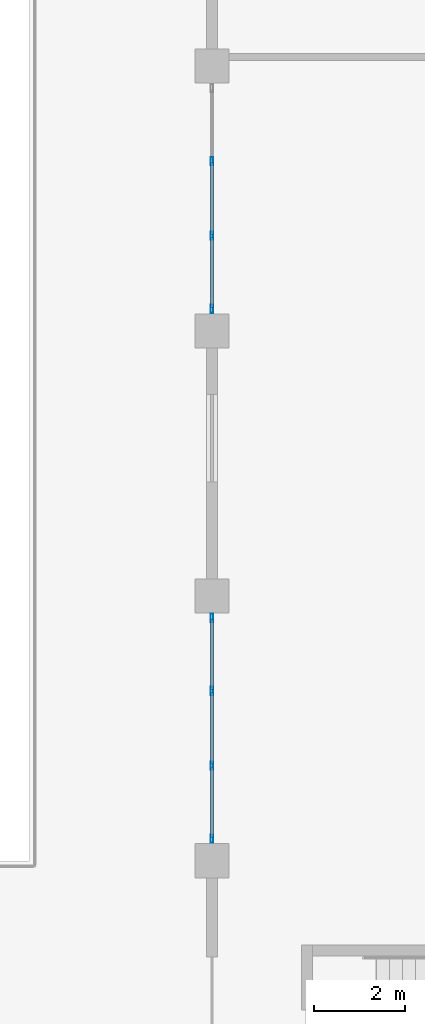
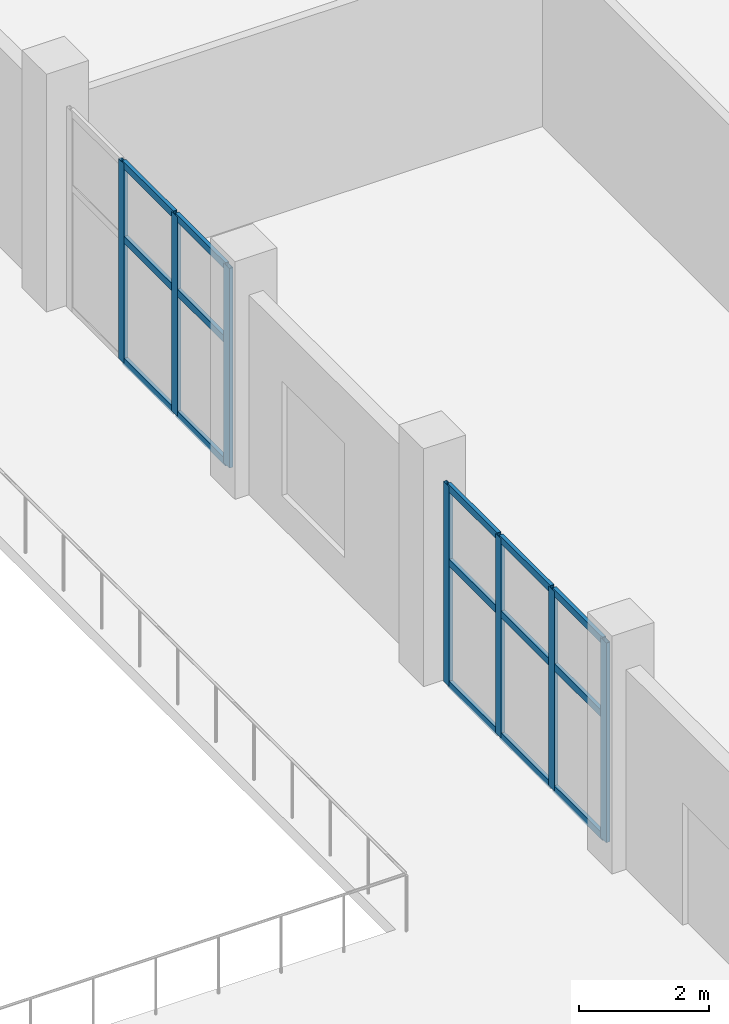
# One storey, part 30 of 132: 22 members, 2 elements without a shape of their own.
"""IFC4 building model written with IfcOpenShell, lengths in metres."""

import ifcopenshell
import ifcopenshell.guid

model = None  # the IFC model being written
_history = None  # IfcOwnerHistory: only IFC2X3 demands one
_inside = {}  # id of a spatial element -> (the spatial element, [elements in it])
_under = {}  # id of a project, library or spatial element -> (it, [spatial elements below it])
_declared = {}  # id of a project -> (the project, [libraries it declares])
_typed = {}  # id of a type object -> (the type object, [elements of that type])
_made_of = {}  # id of a material, layer set ... -> (it, [elements and type objects made of it])


def new_model(schema):
    """Start an empty IFC model of exactly this schema.

    Asked for "IFC4X3", IfcOpenShell would pick the latest addendum, in which some entities
    have other attributes; the version numbers below select the first issue.
    IFC2X3 requires an IfcOwnerHistory on every rooted entity: one is made here for all.
    """
    global model, _history
    if schema == "IFC4X3":
        model = ifcopenshell.file(schema_version=(4, 3, 0, 0))
    else:
        model = ifcopenshell.file(schema=schema)
    _inside.clear()
    _under.clear()
    _declared.clear()
    _typed.clear()
    _made_of.clear()
    _history = None
    if model.schema == "IFC2X3":
        org = make("IfcOrganization", Name="unknown")
        user = make(
            "IfcPersonAndOrganization",
            ThePerson=make("IfcPerson", FamilyName="unknown"),
            TheOrganization=org,
        )
        app = make(
            "IfcApplication",
            ApplicationDeveloper=org,
            Version="unknown",
            ApplicationFullName="unknown",
            ApplicationIdentifier="unknown",
        )
        _history = make(
            "IfcOwnerHistory",
            OwningUser=user,
            OwningApplication=app,
            ChangeAction="ADDED",
            CreationDate=0,
        )
    return model


def make(cls, **values):
    """One entity of the class cls with the attributes given. An attribute that is None is left unset."""
    return model.create_entity(
        cls, **{name: value for name, value in values.items() if value is not None}
    )


def rooted(cls, **values):
    """An entity with a GlobalId (a new one), such as an element, a storey or a relation."""
    return make(cls, GlobalId=ifcopenshell.guid.new(), OwnerHistory=_history, **values)


def si_unit(unit_type, name, prefix=None):
    """IfcSIUnit, for example si_unit("LENGTHUNIT", "METRE", prefix="MILLI")."""
    return make("IfcSIUnit", UnitType=unit_type, Prefix=prefix, Name=name)


def assignment(units):
    """IfcUnitAssignment: the units of a project."""
    return None if units is None else make("IfcUnitAssignment", Units=units)


def point(xyz):
    """IfcCartesianPoint."""
    return None if xyz is None else make("IfcCartesianPoint", Coordinates=xyz)


def direction(xyz):
    """IfcDirection."""
    return None if xyz is None else make("IfcDirection", DirectionRatios=xyz)


def frame(location, z_axis=None, x_axis=None):
    """IfcAxis2Placement3D, a coordinate frame: its origin and axes. An axis left out is left unset."""
    return make(
        "IfcAxis2Placement3D",
        Location=point(location),
        Axis=direction(z_axis),
        RefDirection=direction(x_axis),
    )


def frame_2d(location, x_axis=None):
    """IfcAxis2Placement2D, a coordinate frame in the plane: its origin and x axis."""
    return make(
        "IfcAxis2Placement2D", Location=point(location), RefDirection=direction(x_axis)
    )


def origin():
    """The frame at (0, 0, 0) with its axes left unset."""
    return frame((0.0, 0.0, 0.0))


def origin_2d():
    """The frame at (0, 0) in the plane with its x axis left unset."""
    return frame_2d((0.0, 0.0))


def place(relative_to, where):
    """IfcLocalPlacement: puts the frame where relative to a parent placement (None: the world)."""
    return make(
        "IfcLocalPlacement", PlacementRelTo=relative_to, RelativePlacement=where
    )


def context(
    kind, dimensions, precision=None, world=None, true_north=None, identifier=None
):
    """IfcGeometricRepresentationContext, for example the 3D "Model" context."""
    return make(
        "IfcGeometricRepresentationContext",
        ContextIdentifier=identifier,
        ContextType=kind,
        CoordinateSpaceDimension=dimensions,
        Precision=precision,
        WorldCoordinateSystem=world,
        TrueNorth=true_north,
    )


def subcontext(parent, identifier, kind, view, scale=None):
    """IfcGeometricRepresentationSubContext, for example "Body" below "Model"."""
    return make(
        "IfcGeometricRepresentationSubContext",
        ContextIdentifier=identifier,
        ContextType=kind,
        ParentContext=parent,
        TargetScale=scale,
        TargetView=view,
    )


def project(units=None, contexts=None):
    """IfcProject with its units and contexts."""
    return rooted(
        "IfcProject",
        Name="project",
        RepresentationContexts=contexts,
        UnitsInContext=assignment(units),
    )


def spatial(cls, under=None, at=None, **own):
    """A site, building, storey or space (cls), placed at a placement, below another one or the project."""
    s = rooted(cls, ObjectPlacement=at, **own)
    if under is not None:
        _under.setdefault(under.id(), (under, []))[1].append(s)
    return s


def profile(cls, at=None, kind="AREA", **sizes):
    """A parametric profile (cls). Its sizes go by their IFC names, for example OverallWidth=200.0."""
    return make(cls, ProfileType=kind, Position=at, **sizes)


def hollow_rectangle(**sizes):
    """IfcRectangleHollowProfileDef."""
    return profile("IfcRectangleHollowProfileDef", **sizes)


def extrude(swept, where, along, depth):
    """IfcExtrudedAreaSolid: the profile swept, set in the frame where, extruded along a direction by depth."""
    return make(
        "IfcExtrudedAreaSolid",
        SweptArea=swept,
        Position=where,
        ExtrudedDirection=direction(along),
        Depth=depth,
    )


def shape(context_of_items, identifier, shape_type, items):
    """IfcShapeRepresentation: the items that make up one representation, for example the "Body"."""
    return make(
        "IfcShapeRepresentation",
        ContextOfItems=context_of_items,
        RepresentationIdentifier=identifier,
        RepresentationType=shape_type,
        Items=items,
    )


def material(Name=None, Category=None):
    """IfcMaterial."""
    return make("IfcMaterial", Name=Name, Category=Category)


def material_profile(
    of_material, cross_section, Name=None, Category=None, Priority=None
):
    """IfcMaterialProfile: a cross section and its material."""
    return make(
        "IfcMaterialProfile",
        Name=Name,
        Material=of_material,
        Profile=cross_section,
        Priority=Priority,
        Category=Category,
    )


def profile_set(profiles, Name=None, composite=None):
    """IfcMaterialProfileSet."""
    return make(
        "IfcMaterialProfileSet",
        Name=Name,
        MaterialProfiles=profiles,
        CompositeProfile=composite,
    )


def made_of(thing, what):
    """Note that an element or type object is made of a material, layer set ...; save() writes the relation."""
    if what is not None:
        _made_of.setdefault(what.id(), (what, []))[1].append(thing)
    return thing


def type_object(cls, material=None, **own):
    """A type object (cls), such as IfcWallType, which elements share."""
    return made_of(rooted(cls, **own), material)


def element(
    cls,
    number,
    at=None,
    inside=None,
    cuts=None,
    type_object=None,
    material=None,
    context=None,
    identifier="Body",
    shape_type=None,
    held_by="IfcProductDefinitionShape",
    body=None,
    shapes=None,
    **own,
):
    """One element of the class cls, such as IfcWall. Its Tag is "e" and its number.

    at: its placement. inside: the storey or other place that contains it. cuts: it is an
    opening in that element (IfcRelVoidsElement). A single representation is given by context,
    identifier, shape_type and body (its items); several are given by shapes. held_by: the class
    of the entity that holds the representations. save() writes the other relations.
    """
    e = rooted(cls, Tag="e%d" % number, ObjectPlacement=at, **own)
    if body is not None:
        shapes = [shape(context, identifier, shape_type, body)]
    if shapes is not None:
        e.Representation = make(held_by, Representations=shapes)
    if inside is not None:
        _inside.setdefault(inside.id(), (inside, []))[1].append(e)
    if cuts is not None:
        rooted(
            "IfcRelVoidsElement", RelatingBuildingElement=cuts, RelatedOpeningElement=e
        )
    if type_object is not None:
        _typed.setdefault(type_object.id(), (type_object, []))[1].append(e)
    return made_of(e, material)


def aggregate(whole, parts):
    """IfcRelAggregates: a whole, such as a stair, and the parts it consists of."""
    return rooted("IfcRelAggregates", RelatingObject=whole, RelatedObjects=parts)


def save(model, path):
    """Write the relations noted so far, then the file.

    IfcRelAggregates (storeys below a building ...), IfcRelContainedInSpatialStructure (elements
    in a storey), IfcRelDefinesByType, IfcRelAssociatesMaterial and IfcRelDeclares: one each for
    every whole, place, type object, material and project.
    """
    for whole, parts in _under.values():
        aggregate(whole, parts)
    for where, things in _inside.values():
        rooted(
            "IfcRelContainedInSpatialStructure",
            RelatedElements=things,
            RelatingStructure=where,
        )
    for kind, things in _typed.values():
        rooted("IfcRelDefinesByType", RelatedObjects=things, RelatingType=kind)
    for what, things in _made_of.values():
        rooted("IfcRelAssociatesMaterial", RelatedObjects=things, RelatingMaterial=what)
    for by, libraries in _declared.values():
        rooted("IfcRelDeclares", RelatingContext=by, RelatedDefinitions=libraries)
    model.write(path)


model = new_model("IFC4")

# Units and contexts
model_context = context("Model", 3, precision=1e-05, world=origin(), true_north=direction((0.0, 1.0)))
body_context = subcontext(model_context, "Body", "Model", "MODEL_VIEW")
ifc_project = project(units=[si_unit("LENGTHUNIT", "METRE"), si_unit("AREAUNIT", "SQUARE_METRE"), si_unit("VOLUMEUNIT", "CUBIC_METRE"), si_unit("PLANEANGLEUNIT", "RADIAN"), si_unit("MASSUNIT", "GRAM", prefix="KILO")], contexts=[model_context])

# Site, building, storey
site_placement = place(None, origin())
site = spatial("IfcSite", under=ifc_project, at=site_placement, CompositionType="ELEMENT")
building_placement = place(site_placement, origin())
building = spatial("IfcBuilding", under=site, at=building_placement, Name="Tanwirah Colonnade Gardens", CompositionType="ELEMENT")
storey_placement = place(building_placement, origin())
storey = spatial("IfcBuildingStorey", under=building, at=storey_placement, Name="L00", CompositionType="ELEMENT", Elevation=0.0)

# Curtain wall, members
ifc_material_1 = material(Name="Bronze-anodised aluminium and solar-control low-E glass", Category="aluminium")
curtain_wall_type = type_object("IfcCurtainWallType", Name="CW-HALL", PredefinedType="NOTDEFINED", material=ifc_material_1)
curtain_wall_1_placement = place(storey_placement, origin())
curtain_wall_1 = element("IfcCurtainWall", 1, at=curtain_wall_1_placement, inside=storey, type_object=curtain_wall_type, Name="Curtain Wall CW-HALL-L00-W-2", PredefinedType="NOTDEFINED")
ifc_material_2 = material(Name="Bronze-anodised aluminium", Category="aluminium")
ifc_material_profile_1 = material_profile(ifc_material_2, hollow_rectangle(XDim=0.06494140625, YDim=0.179931640625, WallThickness=0.00390625, at=origin_2d()), Name="CW-MUL 65x180x4")
ifc_profile_set_1 = profile_set([ifc_material_profile_1], Name="Bronze-anodised aluminium")
member_type_1 = type_object("IfcMemberType", Name="CWM-65x180", PredefinedType="MULLION", material=ifc_profile_set_1)
member_1_placement = place(storey_placement, frame((78.0, 46.08251953125, 0.0), z_axis=(0.0, 0.0, 1.0), x_axis=(-1.0, 0.0, 0.0)))
member_1 = element("IfcMember", 2, at=member_1_placement, type_object=member_type_1, Name="CW-HALL mullion 1", PredefinedType="MULLION", context=body_context, shape_type="SweptSolid", body=[
    extrude(hollow_rectangle(XDim=0.06494140625, YDim=0.179931640625, WallThickness=0.00390625, at=origin_2d()), origin(), (0.0, 0.0, 1.0), 3.75),
])
member_2_placement = place(storey_placement, frame((78.0, 47.683349609375, 0.0), z_axis=(0.0, 0.0, 1.0), x_axis=(-1.0, 0.0, 0.0)))
member_2 = element("IfcMember", 3, at=member_2_placement, type_object=member_type_1, Name="CW-HALL mullion 2", PredefinedType="MULLION", context=body_context, shape_type="SweptSolid", body=[
    extrude(hollow_rectangle(XDim=0.06494140625, YDim=0.179931640625, WallThickness=0.00390625, at=origin_2d()), origin(), (0.0, 0.0, 1.0), 3.75),
])
member_3_placement = place(storey_placement, frame((78.0, 49.316650390625, 0.0), z_axis=(0.0, 0.0, 1.0), x_axis=(-1.0, 0.0, 0.0)))
member_3 = element("IfcMember", 4, at=member_3_placement, type_object=member_type_1, Name="CW-HALL mullion 3", PredefinedType="MULLION", context=body_context, shape_type="SweptSolid", body=[
    extrude(hollow_rectangle(XDim=0.06494140625, YDim=0.179931640625, WallThickness=0.00390625, at=origin_2d()), origin(), (0.0, 0.0, 1.0), 3.75),
])
member_4_placement = place(storey_placement, frame((78.0, 50.91748046875, 0.0), z_axis=(0.0, 0.0, 1.0), x_axis=(-1.0, 0.0, 0.0)))
member_4 = element("IfcMember", 5, at=member_4_placement, type_object=member_type_1, Name="CW-HALL mullion 4", PredefinedType="MULLION", context=body_context, shape_type="SweptSolid", body=[
    extrude(hollow_rectangle(XDim=0.06494140625, YDim=0.179931640625, WallThickness=0.00390625, at=origin_2d()), origin(), (0.0, 0.0, 1.0), 3.75),
])

curtain_wall_2_placement = place(storey_placement, origin())
curtain_wall_2 = element("IfcCurtainWall", 6, at=curtain_wall_2_placement, inside=storey, type_object=curtain_wall_type, Name="Curtain Wall CW-HALL-L00-W-4", PredefinedType="NOTDEFINED")
member_5_placement = place(storey_placement, frame((78.0, 57.6826171875, 0.0), z_axis=(0.0, 0.0, 1.0), x_axis=(-1.0, 0.0, 0.0)))
member_5 = element("IfcMember", 7, at=member_5_placement, type_object=member_type_1, Name="CW-HALL mullion 1", PredefinedType="MULLION", context=body_context, shape_type="SweptSolid", body=[
    extrude(hollow_rectangle(XDim=0.06494140625, YDim=0.179931640625, WallThickness=0.00390625, at=origin_2d()), origin(), (0.0, 0.0, 1.0), 3.75),
])
member_6_placement = place(storey_placement, frame((78.0, 59.283447265625, 0.0), z_axis=(0.0, 0.0, 1.0), x_axis=(-1.0, 0.0, 0.0)))
member_6 = element("IfcMember", 8, at=member_6_placement, type_object=member_type_1, Name="CW-HALL mullion 2", PredefinedType="MULLION", context=body_context, shape_type="SweptSolid", body=[
    extrude(hollow_rectangle(XDim=0.06494140625, YDim=0.179931640625, WallThickness=0.00390625, at=origin_2d()), origin(), (0.0, 0.0, 1.0), 3.75),
])
member_7_placement = place(storey_placement, frame((78.0, 60.916748046875, 0.0), z_axis=(0.0, 0.0, 1.0), x_axis=(-1.0, 0.0, 0.0)))
member_7 = element("IfcMember", 9, at=member_7_placement, type_object=member_type_1, Name="CW-HALL mullion 3", PredefinedType="MULLION", context=body_context, shape_type="SweptSolid", body=[
    extrude(hollow_rectangle(XDim=0.06494140625, YDim=0.179931640625, WallThickness=0.00390625, at=origin_2d()), origin(), (0.0, 0.0, 1.0), 3.75),
])

# Member
ifc_material_profile_2 = material_profile(ifc_material_2, hollow_rectangle(XDim=0.06494140625, YDim=0.135009765625, WallThickness=0.00390625, at=origin_2d()), Name="CW-TRN 65x135x4")
ifc_profile_set_2 = profile_set([ifc_material_profile_2], Name="Bronze-anodised aluminium")
member_type_2 = type_object("IfcMemberType", Name="CWT-65x135", PredefinedType="USERDEFINED", material=ifc_profile_set_2)
member_8_placement = place(storey_placement, frame((78.0, 46.114990234375, 0.032470703125), z_axis=(0.0, 1.0, 0.0), x_axis=(-1.0, 0.0, 0.0)))
member_8 = element("IfcMember", 10, at=member_8_placement, type_object=member_type_2, Name="CW-HALL transom 1.1", ObjectType="TRANSOM", PredefinedType="USERDEFINED", context=body_context, shape_type="SweptSolid", body=[
    extrude(hollow_rectangle(XDim=0.06494140625, YDim=0.135009765625, WallThickness=0.00390625, at=origin_2d()), origin(), (0.0, 0.0, 1.0), 1.535888671875),
])

member_9_placement = place(storey_placement, frame((78.0, 46.114990234375, 2.324951171875), z_axis=(0.0, 1.0, 0.0), x_axis=(-1.0, 0.0, 0.0)))
member_9 = element("IfcMember", 11, at=member_9_placement, type_object=member_type_2, Name="CW-HALL transom 1.2", ObjectType="TRANSOM", PredefinedType="USERDEFINED", context=body_context, shape_type="SweptSolid", body=[
    extrude(hollow_rectangle(XDim=0.06494140625, YDim=0.135009765625, WallThickness=0.00390625, at=origin_2d()), origin(), (0.0, 0.0, 1.0), 1.535888671875),
])

member_10_placement = place(storey_placement, frame((78.0, 46.114990234375, 3.717529296875), z_axis=(0.0, 1.0, 0.0), x_axis=(-1.0, 0.0, 0.0)))
member_10 = element("IfcMember", 12, at=member_10_placement, type_object=member_type_2, Name="CW-HALL transom 1.3", ObjectType="TRANSOM", PredefinedType="USERDEFINED", context=body_context, shape_type="SweptSolid", body=[
    extrude(hollow_rectangle(XDim=0.06494140625, YDim=0.135009765625, WallThickness=0.00390625, at=origin_2d()), origin(), (0.0, 0.0, 1.0), 1.535888671875),
])

member_11_placement = place(storey_placement, frame((78.0, 47.7158203125, 0.032470703125), z_axis=(0.0, 1.0, 0.0), x_axis=(-1.0, 0.0, 0.0)))
member_11 = element("IfcMember", 13, at=member_11_placement, type_object=member_type_2, Name="CW-HALL transom 2.1", ObjectType="TRANSOM", PredefinedType="USERDEFINED", context=body_context, shape_type="SweptSolid", body=[
    extrude(hollow_rectangle(XDim=0.06494140625, YDim=0.135009765625, WallThickness=0.00390625, at=origin_2d()), origin(), (0.0, 0.0, 1.0), 1.568359375),
])

member_12_placement = place(storey_placement, frame((78.0, 47.7158203125, 2.324951171875), z_axis=(0.0, 1.0, 0.0), x_axis=(-1.0, 0.0, 0.0)))
member_12 = element("IfcMember", 14, at=member_12_placement, type_object=member_type_2, Name="CW-HALL transom 2.2", ObjectType="TRANSOM", PredefinedType="USERDEFINED", context=body_context, shape_type="SweptSolid", body=[
    extrude(hollow_rectangle(XDim=0.06494140625, YDim=0.135009765625, WallThickness=0.00390625, at=origin_2d()), origin(), (0.0, 0.0, 1.0), 1.568359375),
])

member_13_placement = place(storey_placement, frame((78.0, 47.7158203125, 3.717529296875), z_axis=(0.0, 1.0, 0.0), x_axis=(-1.0, 0.0, 0.0)))
member_13 = element("IfcMember", 15, at=member_13_placement, type_object=member_type_2, Name="CW-HALL transom 2.3", ObjectType="TRANSOM", PredefinedType="USERDEFINED", context=body_context, shape_type="SweptSolid", body=[
    extrude(hollow_rectangle(XDim=0.06494140625, YDim=0.135009765625, WallThickness=0.00390625, at=origin_2d()), origin(), (0.0, 0.0, 1.0), 1.568359375),
])

member_14_placement = place(storey_placement, frame((78.0, 49.34912109375, 0.032470703125), z_axis=(0.0, 1.0, 0.0), x_axis=(-1.0, 0.0, 0.0)))
member_14 = element("IfcMember", 16, at=member_14_placement, type_object=member_type_2, Name="CW-HALL transom 3.1", ObjectType="TRANSOM", PredefinedType="USERDEFINED", context=body_context, shape_type="SweptSolid", body=[
    extrude(hollow_rectangle(XDim=0.06494140625, YDim=0.135009765625, WallThickness=0.00390625, at=origin_2d()), origin(), (0.0, 0.0, 1.0), 1.535888671875),
])

member_15_placement = place(storey_placement, frame((78.0, 49.34912109375, 2.324951171875), z_axis=(0.0, 1.0, 0.0), x_axis=(-1.0, 0.0, 0.0)))
member_15 = element("IfcMember", 17, at=member_15_placement, type_object=member_type_2, Name="CW-HALL transom 3.2", ObjectType="TRANSOM", PredefinedType="USERDEFINED", context=body_context, shape_type="SweptSolid", body=[
    extrude(hollow_rectangle(XDim=0.06494140625, YDim=0.135009765625, WallThickness=0.00390625, at=origin_2d()), origin(), (0.0, 0.0, 1.0), 1.535888671875),
])

member_16_placement = place(storey_placement, frame((78.0, 49.34912109375, 3.717529296875), z_axis=(0.0, 1.0, 0.0), x_axis=(-1.0, 0.0, 0.0)))
member_16 = element("IfcMember", 18, at=member_16_placement, type_object=member_type_2, Name="CW-HALL transom 3.3", ObjectType="TRANSOM", PredefinedType="USERDEFINED", context=body_context, shape_type="SweptSolid", body=[
    extrude(hollow_rectangle(XDim=0.06494140625, YDim=0.135009765625, WallThickness=0.00390625, at=origin_2d()), origin(), (0.0, 0.0, 1.0), 1.535888671875),
])

aggregate(curtain_wall_1, [member_1, member_2, member_3, member_4, member_8, member_9, member_10, member_11, member_12, member_13, member_14, member_15, member_16])

member_17_placement = place(storey_placement, frame((78.0, 57.715087890625, 0.032470703125), z_axis=(0.0, 1.0, 0.0), x_axis=(-1.0, 0.0, 0.0)))
member_17 = element("IfcMember", 19, at=member_17_placement, type_object=member_type_2, Name="CW-HALL transom 1.1", ObjectType="TRANSOM", PredefinedType="USERDEFINED", context=body_context, shape_type="SweptSolid", body=[
    extrude(hollow_rectangle(XDim=0.06494140625, YDim=0.135009765625, WallThickness=0.00390625, at=origin_2d()), origin(), (0.0, 0.0, 1.0), 1.53564453125),
])

member_18_placement = place(storey_placement, frame((78.0, 57.715087890625, 2.324951171875), z_axis=(0.0, 1.0, 0.0), x_axis=(-1.0, 0.0, 0.0)))
member_18 = element("IfcMember", 20, at=member_18_placement, type_object=member_type_2, Name="CW-HALL transom 1.2", ObjectType="TRANSOM", PredefinedType="USERDEFINED", context=body_context, shape_type="SweptSolid", body=[
    extrude(hollow_rectangle(XDim=0.06494140625, YDim=0.135009765625, WallThickness=0.00390625, at=origin_2d()), origin(), (0.0, 0.0, 1.0), 1.53564453125),
])

member_19_placement = place(storey_placement, frame((78.0, 57.715087890625, 3.717529296875), z_axis=(0.0, 1.0, 0.0), x_axis=(-1.0, 0.0, 0.0)))
member_19 = element("IfcMember", 21, at=member_19_placement, type_object=member_type_2, Name="CW-HALL transom 1.3", ObjectType="TRANSOM", PredefinedType="USERDEFINED", context=body_context, shape_type="SweptSolid", body=[
    extrude(hollow_rectangle(XDim=0.06494140625, YDim=0.135009765625, WallThickness=0.00390625, at=origin_2d()), origin(), (0.0, 0.0, 1.0), 1.53564453125),
])

member_20_placement = place(storey_placement, frame((78.0, 59.31591796875, 0.032470703125), z_axis=(0.0, 1.0, 0.0), x_axis=(-1.0, 0.0, 0.0)))
member_20 = element("IfcMember", 22, at=member_20_placement, type_object=member_type_2, Name="CW-HALL transom 2.1", ObjectType="TRANSOM", PredefinedType="USERDEFINED", context=body_context, shape_type="SweptSolid", body=[
    extrude(hollow_rectangle(XDim=0.06494140625, YDim=0.135009765625, WallThickness=0.00390625, at=origin_2d()), origin(), (0.0, 0.0, 1.0), 1.568359375),
])

member_21_placement = place(storey_placement, frame((78.0, 59.31591796875, 2.324951171875), z_axis=(0.0, 1.0, 0.0), x_axis=(-1.0, 0.0, 0.0)))
member_21 = element("IfcMember", 23, at=member_21_placement, type_object=member_type_2, Name="CW-HALL transom 2.2", ObjectType="TRANSOM", PredefinedType="USERDEFINED", context=body_context, shape_type="SweptSolid", body=[
    extrude(hollow_rectangle(XDim=0.06494140625, YDim=0.135009765625, WallThickness=0.00390625, at=origin_2d()), origin(), (0.0, 0.0, 1.0), 1.568359375),
])

member_22_placement = place(storey_placement, frame((78.0, 59.31591796875, 3.717529296875), z_axis=(0.0, 1.0, 0.0), x_axis=(-1.0, 0.0, 0.0)))
member_22 = element("IfcMember", 24, at=member_22_placement, type_object=member_type_2, Name="CW-HALL transom 2.3", ObjectType="TRANSOM", PredefinedType="USERDEFINED", context=body_context, shape_type="SweptSolid", body=[
    extrude(hollow_rectangle(XDim=0.06494140625, YDim=0.135009765625, WallThickness=0.00390625, at=origin_2d()), origin(), (0.0, 0.0, 1.0), 1.568359375),
])

aggregate(curtain_wall_2, [member_5, member_6, member_7, member_17, member_18, member_19, member_20, member_21, member_22])

save(model, "model.ifc")
